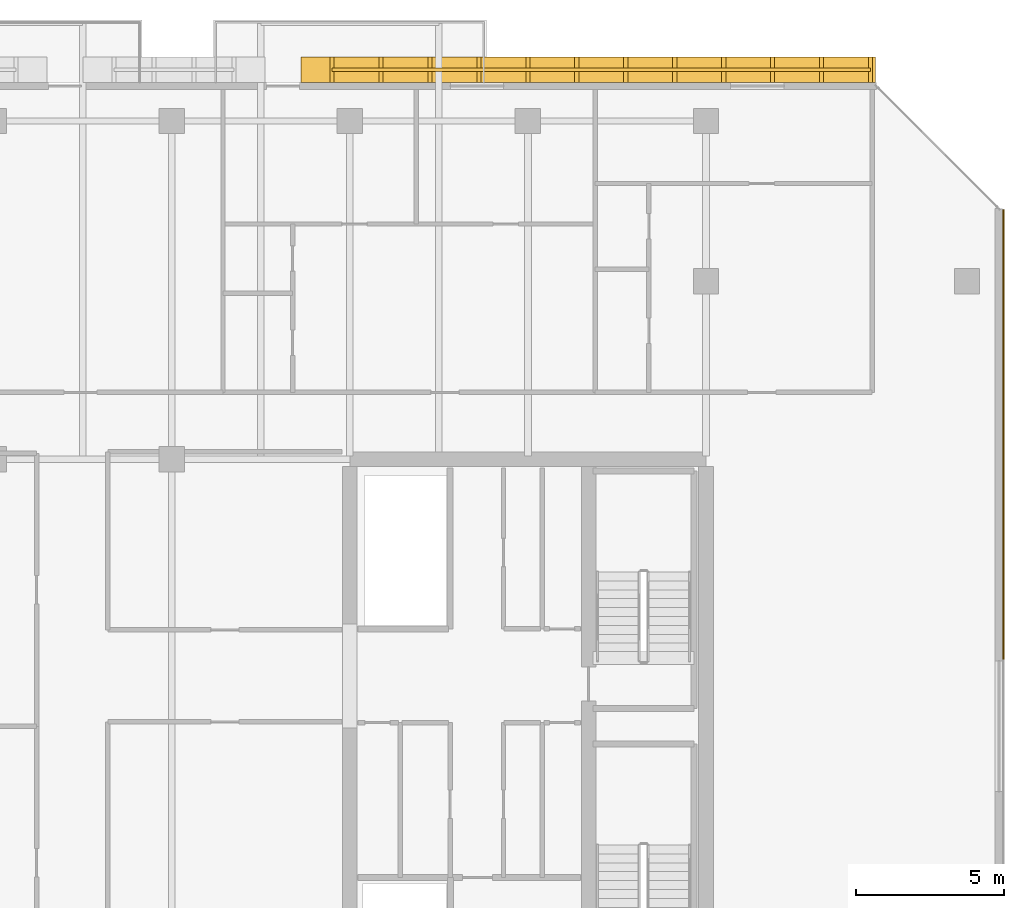
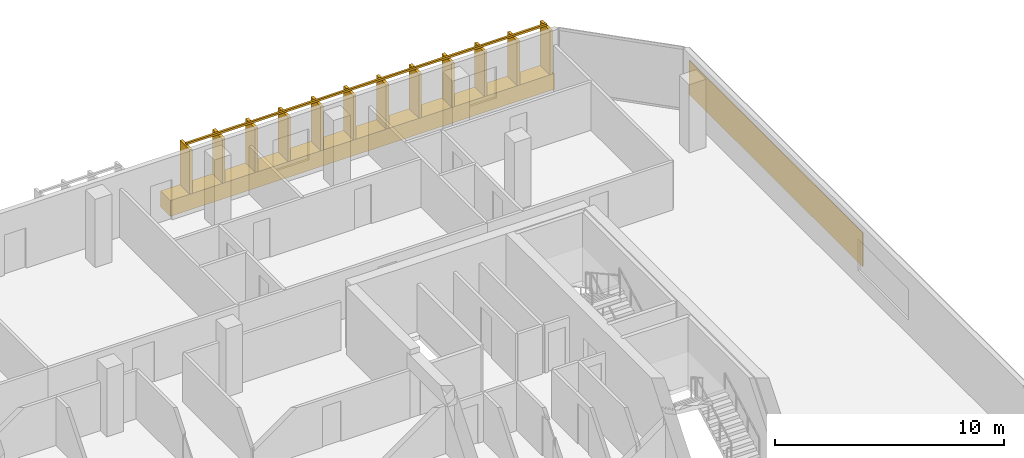
# One storey, part 31 of 31: 2 coverings, 1 railing.
"""IFC4 building model written with IfcOpenShell, lengths in metres."""

from ifc_helpers import new_model, si_unit, direction, frame, origin, origin_2d, place, context, subcontext, project, spatial, rectangle, extrude, material, layer, layer_set, type_object, element, save


model = new_model("IFC4")

# Units and contexts
model_context = context("Model", 3, precision=1e-05, world=origin(), true_north=direction((0.0, 1.0)))
body_context = subcontext(model_context, "Body", "Model", "MODEL_VIEW")
ifc_project = project(units=[si_unit("LENGTHUNIT", "METRE"), si_unit("AREAUNIT", "SQUARE_METRE"), si_unit("VOLUMEUNIT", "CUBIC_METRE"), si_unit("PLANEANGLEUNIT", "RADIAN"), si_unit("MASSUNIT", "GRAM", prefix="KILO")], contexts=[model_context])

# Site, building, storey
site_placement = place(None, origin())
site = spatial("IfcSite", under=ifc_project, at=site_placement, CompositionType="ELEMENT")
building_placement = place(site_placement, origin())
building = spatial("IfcBuilding", under=site, at=building_placement, Name="Tanjung Sevakor Pilgrim Tower", CompositionType="ELEMENT")
storey_placement = place(building_placement, frame((0.0, 0.0, 169.2900390625)))
storey = spatial("IfcBuildingStorey", under=building, at=storey_placement, Name="L47", CompositionType="ELEMENT", Elevation=169.2900390625)

# Coverings
ifc_material_1 = material(Name="Reconstructed Limestone Cladding", Category="masonry")
ifc_layer = layer(ifc_material_1, 0.044921875)
ifc_layer_set = layer_set([ifc_layer], Name="COV-CLAD-LIMESTONE")
covering_type = type_object("IfcCoveringType", Name="COV-CLAD-LIMESTONE", PredefinedType="CLADDING", material=ifc_layer_set)
covering_1_placement = place(storey_placement, frame((100.0224609375, 43.42919921875, 0.849853515625), z_axis=(0.0, 0.0, 1.0), x_axis=(0.0, 1.0, 0.0)))
element("IfcCovering", 1, at=covering_1_placement, inside=storey, type_object=covering_type, Name="L47 Warm Limestone Pier Panel EW-L47-MAIN-7-2", PredefinedType="CLADDING", context=body_context, shape_type="SweptSolid", body=[
    extrude(rectangle(XDim=15.158203125, YDim=0.044921875, at=origin_2d()), origin(), (0.0, 0.0, 1.0), 1.81005859375),
])
covering_2_placement = place(storey_placement, frame((86.0341796875, 55.72998046875, 0.009765625), z_axis=(0.0, 0.0, 1.0), x_axis=(-1.0, 0.0, 0.0)))
element("IfcCovering", 2, at=covering_2_placement, inside=storey, type_object=covering_type, Name="L47 Warm Limestone Sill Spandrel EW-L47-MAIN-9-1", PredefinedType="CLADDING", context=body_context, shape_type="SweptSolid", body=[
    extrude(rectangle(XDim=19.34814453125, YDim=0.860107421875, at=origin_2d()), origin(), (0.0, 0.0, 1.0), 0.840087890625),
])

# Railing
ifc_material_2 = material(Name="Anodised Bronze Aluminium 6063-T6", Category="aluminium")
railing_type = type_object("IfcRailingType", Name="RL-FIN-SCREEN", PredefinedType="BALUSTRADE", material=ifc_material_2)
railing_placement = place(storey_placement, frame((95.548095703125, 55.72509765625, 0.83984375)))
element("IfcRailing", 3, at=railing_placement, inside=storey, type_object=railing_type, Name="L47 Vertical Bronze-Gold Solar Fin Screen FNSCR-EW-L47-MAIN-9-1", PredefinedType="BALUSTRADE", context=body_context, shape_type="SweptSolid", body=[
    extrude(rectangle(XDim=0.105, YDim=0.105), frame((0.0, 0.0, 2.427490234375), z_axis=(-1.0, 0.0, 0.0), x_axis=(0.0, -1.0, 0.0)), (0.0, 0.0, 1.0), 18.148193359375),
    extrude(rectangle(XDim=0.14, YDim=0.85), origin(), (0.0, 0.0, 1.0), 2.375),
    extrude(rectangle(XDim=0.14, YDim=0.85), frame((-1.64990234375, 0.0, 0.0)), (0.0, 0.0, 1.0), 2.375),
    extrude(rectangle(XDim=0.14, YDim=0.85), frame((-3.299560546875, 0.0, 0.0)), (0.0, 0.0, 1.0), 2.375),
    extrude(rectangle(XDim=0.14, YDim=0.85), frame((-4.949462890625, 0.0, 0.0)), (0.0, 0.0, 1.0), 2.375),
    extrude(rectangle(XDim=0.14, YDim=0.85), frame((-6.599365234375, 0.0, 0.0)), (0.0, 0.0, 1.0), 2.375),
    extrude(rectangle(XDim=0.14, YDim=0.85), frame((-8.249267578125, 0.0, 0.0)), (0.0, 0.0, 1.0), 2.375),
    extrude(rectangle(XDim=0.14, YDim=0.85), frame((-9.89892578125, 0.0, 0.0)), (0.0, 0.0, 1.0), 2.375),
    extrude(rectangle(XDim=0.14, YDim=0.85), frame((-11.548828125, 0.0, 0.0)), (0.0, 0.0, 1.0), 2.375),
    extrude(rectangle(XDim=0.14, YDim=0.85), frame((-13.19873046875, 0.0, 0.0)), (0.0, 0.0, 1.0), 2.375),
    extrude(rectangle(XDim=0.14, YDim=0.85), frame((-14.8486328125, 0.0, 0.0)), (0.0, 0.0, 1.0), 2.375),
    extrude(rectangle(XDim=0.14, YDim=0.85), frame((-16.498291015625, 0.0, 0.0)), (0.0, 0.0, 1.0), 2.375),
    extrude(rectangle(XDim=0.14, YDim=0.85), frame((-18.148193359375, 0.0, 0.0)), (0.0, 0.0, 1.0), 2.375),
])

save(model, "model.ifc")
